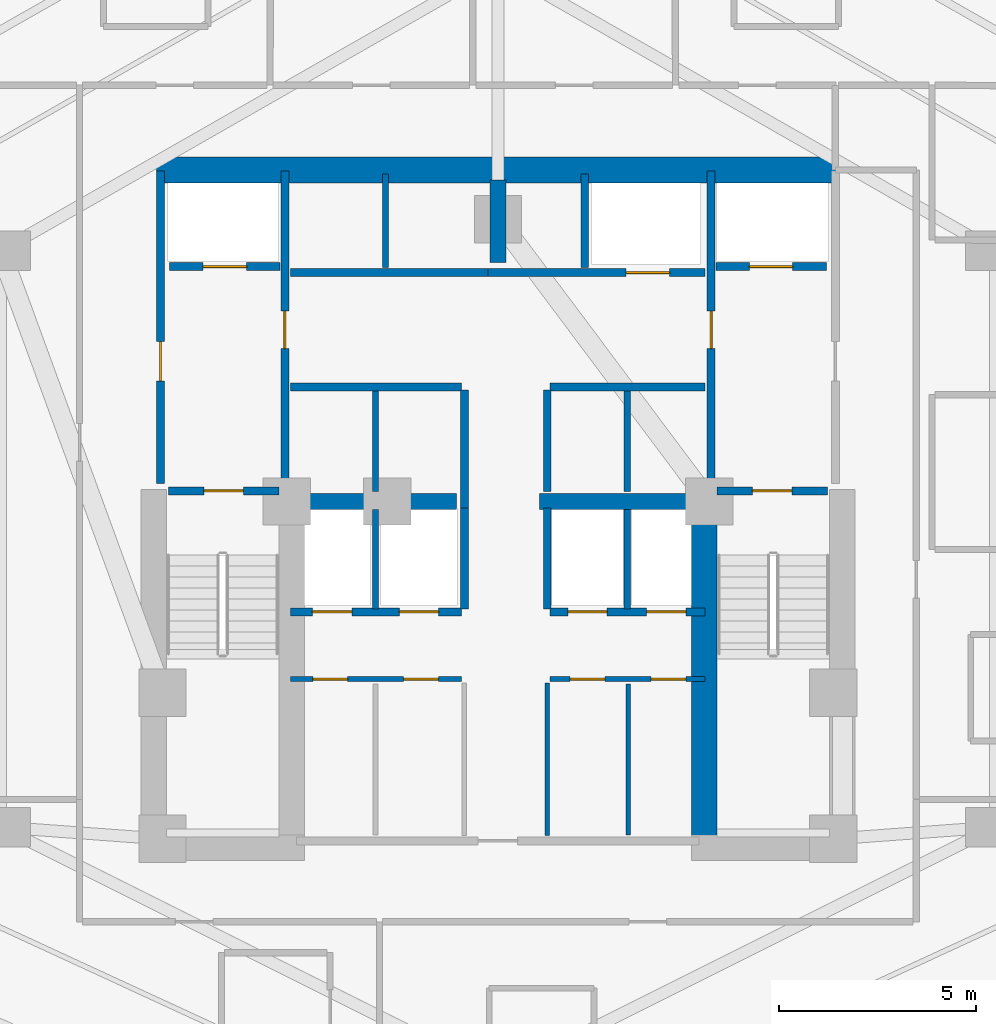
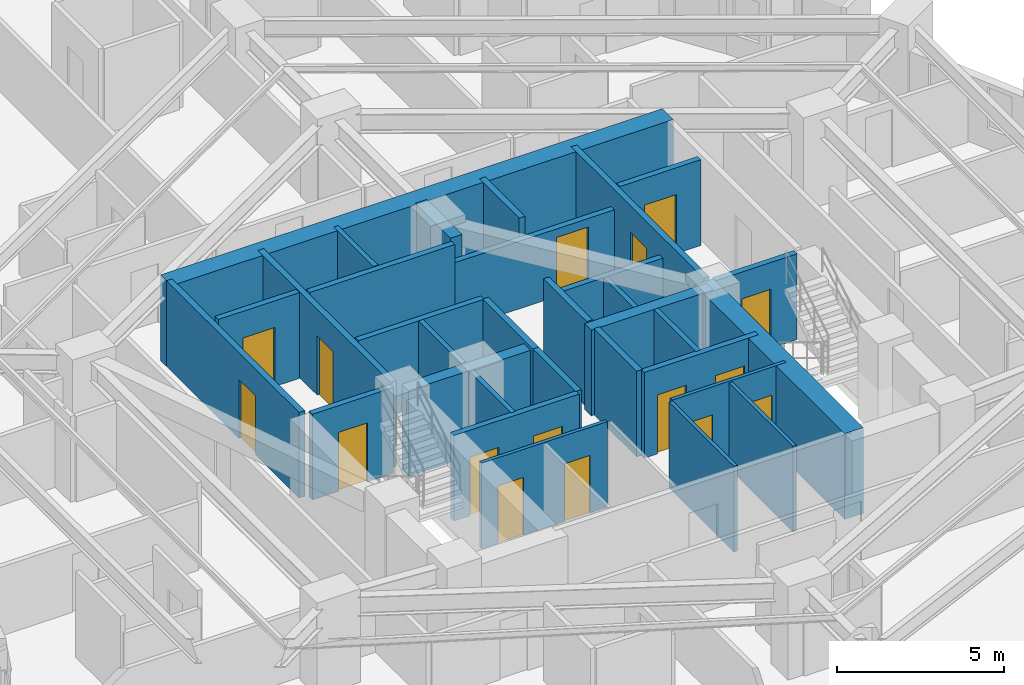
# One storey, part 8 of 13: 32 walls, 16 doors, 16 openings.
"""IFC4 building model written with IfcOpenShell, lengths in metres."""

from ifc_helpers import new_model, si_unit, direction, frame, frame_2d, origin, place, context, subcontext, project, spatial, rectangle, extrude, material, layer, layer_set, type_object, element, fill, save


model = new_model("IFC4")

# Units and contexts
model_context = context("Model", 3, precision=1e-05, world=origin(), true_north=direction((0.0, 1.0)))
body_context = subcontext(model_context, "Body", "Model", "MODEL_VIEW")
ifc_project = project(units=[si_unit("LENGTHUNIT", "METRE"), si_unit("AREAUNIT", "SQUARE_METRE"), si_unit("VOLUMEUNIT", "CUBIC_METRE"), si_unit("PLANEANGLEUNIT", "RADIAN"), si_unit("MASSUNIT", "GRAM", prefix="KILO")], contexts=[model_context])

# Site, building, storey
site_placement = place(None, origin())
site = spatial("IfcSite", under=ifc_project, at=site_placement, CompositionType="ELEMENT")
building_placement = place(site_placement, origin())
building = spatial("IfcBuilding", under=site, at=building_placement, Name="Miruveldt Soraemaru", CompositionType="ELEMENT")
storey_placement = place(building_placement, frame((0.0, 0.0, 49.60009765625)))
storey = spatial("IfcBuildingStorey", under=building, at=storey_placement, Name="L13", CompositionType="ELEMENT", Elevation=49.60009765625)

# Walls
ifc_material_1 = material(Name="Concrete C70/85 (70 MPa)", Category="concrete")
ifc_layer_1 = layer(ifc_material_1, 0.5, Name="Concrete C70/85 (70 MPa)", Category="concrete")
ifc_layer_set_1 = layer_set([ifc_layer_1], Name="Concrete C70/85 (70 MPa)")
wall_type_1 = type_object("IfcWallType", Name="WALL-BW-500", PredefinedType="SHEAR", material=ifc_layer_set_1)
wall_1_placement = place(storey_placement, frame((44.0, 50.10009765625, 0.0), z_axis=(0.0, 0.0, 1.0), x_axis=(0.0, 1.0, 0.0)))
element("IfcWall", 1, at=wall_1_placement, inside=storey, type_object=wall_type_1, Name="L13 Core Buttress Shear Wall BN", PredefinedType="SHEAR", context=body_context, shape_type="SweptSolid", body=[
    extrude(rectangle(XDim=2.099853515625, YDim=0.39990234375, at=frame_2d((1.0498046875, 0.0))), origin(), (0.0, 0.0, 1.0), 3.125),
])
for number, where, z_axis, x_axis, name in (
    (2, (38.75, 44.050048828125, 0.0), (0.0, 0.0, 1.0), (1.0, 0.0, 0.0), "L13 Core Buttress Shear Wall BW"),
    (3, (45.050048828125, 44.050048828125, 0.0), (0.0, 0.0, 1.0), (1.0, 0.0, 0.0), "L13 Core Buttress Shear Wall BE"),
):
    element("IfcWall", number, at=place(storey_placement, frame(where, z_axis=z_axis, x_axis=x_axis)), inside=storey, type_object=wall_type_1, Name=name, PredefinedType="SHEAR", context=body_context, shape_type="SweptSolid", body=[
        extrude(rectangle(XDim=4.199951171875, YDim=0.39990234375, at=frame_2d((2.10009765625, 0.0))), origin(), (0.0, 0.0, 1.0), 3.125),
    ])
ifc_material_2 = material(Name="Concrete C80/95 (80 MPa)", Category="concrete")
ifc_layer_2 = layer(ifc_material_2, 0.64990234375, Name="Concrete C80/95 (80 MPa)", Category="concrete")
ifc_layer_set_2 = layer_set([ifc_layer_2], Name="Concrete C80/95 (80 MPa)")
wall_type_2 = type_object("IfcWallType", Name="WALL-CW-650", PredefinedType="SHEAR", material=ifc_layer_set_2)
wall_2_placement = place(storey_placement, frame((35.35009765625, 52.449951171875, 0.0), z_axis=(0.0, 0.0, 1.0), x_axis=(1.0, 0.0, 0.0)))
element("IfcWall", 4, at=wall_2_placement, inside=storey, type_object=wall_type_2, Name="L13 Central Core Shear Wall N", PredefinedType="SHEAR", context=body_context, shape_type="SweptSolid", body=[
    extrude(rectangle(XDim=17.2998046875, YDim=0.64990234375, at=frame_2d((8.64990234375, 0.0))), origin(), (0.0, 0.0, 1.0), 3.125),
])
wall_3_placement = place(storey_placement, frame((49.22509765625, 35.39990234375, 0.0), z_axis=(0.0, 0.0, 1.0), x_axis=(0.0, 1.0, 0.0)))
element("IfcWall", 5, at=wall_3_placement, inside=storey, type_object=wall_type_2, Name="L13 Central Core Shear Wall SE-INT", PredefinedType="SHEAR", context=body_context, shape_type="SweptSolid", body=[
    extrude(rectangle(XDim=8.9501953125, YDim=0.64990234375, at=frame_2d((4.47509765625, 0.0))), origin(), (0.0, 0.0, 1.0), 3.125),
])

# Wall, openings, doors
ifc_material_3 = material(Name="Gypsum plasterboard lining", Category="gypsum")
ifc_layer_3 = layer(ifc_material_3, 0.1201171875, Name="Gypsum plasterboard lining", Category="gypsum")
ifc_layer_set_3 = layer_set([ifc_layer_3], Name="Gypsum plasterboard lining")
wall_type_3 = type_object("IfcWallType", Name="WALL-INT-P120", PredefinedType="PARTITIONING", material=ifc_layer_set_3)
wall_4_placement = place(storey_placement, frame((38.75, 39.550048828125, 0.0), z_axis=(0.0, 0.0, 1.0), x_axis=(1.0, 0.0, 0.0)))
wall_4 = element("IfcWall", 6, at=wall_4_placement, inside=storey, type_object=wall_type_3, Name="L13 Core Compartment Wall CSW-N", PredefinedType="PARTITIONING", context=body_context, shape_type="SweptSolid", body=[
    extrude(rectangle(XDim=4.330078125, YDim=0.1201171875, at=frame_2d((2.1650390625, 0.0))), origin(), (0.0, 0.0, 1.0), 3.125),
])
opening_1_placement = place(wall_4_placement, frame((0.56005859375, 0.0, 0.0)))
opening_1 = element("IfcOpeningElement", 7, at=opening_1_placement, cuts=wall_4, Name="Opening D4", PredefinedType="OPENING", context=body_context, shape_type="SweptSolid", body=[
    extrude(rectangle(XDim=0.8798828125, YDim=2.10009765625, at=frame_2d((0.43994140625, 1.050048828125))), frame((0.0, 0.070068359375, 0.0), z_axis=(0.0, -1.0, 0.0), x_axis=(1.0, 0.0, 0.0)), (0.0, 0.0, 1.0), 0.14013671875),
])
opening_2_placement = place(wall_4_placement, frame((2.860107421875, 0.0, 0.0)))
opening_2 = element("IfcOpeningElement", 8, at=opening_2_placement, cuts=wall_4, Name="Opening D4", PredefinedType="OPENING", context=body_context, shape_type="SweptSolid", body=[
    extrude(rectangle(XDim=0.8798828125, YDim=2.10009765625, at=frame_2d((0.43994140625, 1.050048828125))), frame((0.0, 0.070068359375, 0.0), z_axis=(0.0, -1.0, 0.0), x_axis=(1.0, 0.0, 0.0)), (0.0, 0.0, 1.0), 0.14013671875),
])
ifc_material_4 = material(Name="Anodised aluminium EN AW-6063 T6", Category="aluminium")
door_type_1 = type_object("IfcDoorType", Name="DOOR-INT-880", OperationType="NOTDEFINED", PredefinedType="DOOR", material=ifc_material_4)
door_1_placement = place(opening_1_placement, origin())
door_1 = element("IfcDoor", 9, at=door_1_placement, inside=storey, type_object=door_type_1, Name="L13 Fire Door", OperationType="SINGLE_SWING_LEFT", OverallHeight=2.10009765625, OverallWidth=0.8798828125, PredefinedType="DOOR", context=body_context, shape_type="SweptSolid", body=[
    extrude(rectangle(XDim=0.8798828125, YDim=2.10009765625, at=frame_2d((0.43994140625, 1.050048828125))), frame((0.0, 0.02490234375, 0.0), z_axis=(0.0, -1.0, 0.0), x_axis=(1.0, 0.0, 0.0)), (0.0, 0.0, 1.0), 0.050048828125),
])
fill(opening_1, door_1)
door_2_placement = place(opening_2_placement, origin())
door_2 = element("IfcDoor", 10, at=door_2_placement, inside=storey, type_object=door_type_1, Name="L13 Fire Door", OperationType="SINGLE_SWING_LEFT", OverallHeight=2.10009765625, OverallWidth=0.8798828125, PredefinedType="DOOR", context=body_context, shape_type="SweptSolid", body=[
    extrude(rectangle(XDim=0.8798828125, YDim=2.10009765625, at=frame_2d((0.43994140625, 1.050048828125))), frame((0.0, 0.02490234375, 0.0), z_axis=(0.0, -1.0, 0.0), x_axis=(1.0, 0.0, 0.0)), (0.0, 0.0, 1.0), 0.050048828125),
])
fill(opening_2, door_2)

wall_5_placement = place(storey_placement, frame((45.320068359375, 39.550048828125, 0.0), z_axis=(0.0, 0.0, 1.0), x_axis=(1.0, 0.0, 0.0)))
wall_5 = element("IfcWall", 11, at=wall_5_placement, inside=storey, type_object=wall_type_3, Name="L13 Core Compartment Wall CSE-N", PredefinedType="PARTITIONING", context=body_context, shape_type="SweptSolid", body=[
    extrude(rectangle(XDim=3.929931640625, YDim=0.1201171875, at=frame_2d((1.96484375, 0.0))), origin(), (0.0, 0.0, 1.0), 3.125),
])
opening_3_placement = place(wall_5_placement, frame((0.510009765625, 0.0, 0.0)))
opening_3 = element("IfcOpeningElement", 12, at=opening_3_placement, cuts=wall_5, Name="Opening D4", PredefinedType="OPENING", context=body_context, shape_type="SweptSolid", body=[
    extrude(rectangle(XDim=0.8798828125, YDim=2.10009765625, at=frame_2d((0.43994140625, 1.050048828125))), frame((0.0, 0.070068359375, 0.0), z_axis=(0.0, -1.0, 0.0), x_axis=(1.0, 0.0, 0.0)), (0.0, 0.0, 1.0), 0.14013671875),
])
opening_4_placement = place(wall_5_placement, frame((2.56005859375, 0.0, 0.0)))
opening_4 = element("IfcOpeningElement", 13, at=opening_4_placement, cuts=wall_5, Name="Opening D4", PredefinedType="OPENING", context=body_context, shape_type="SweptSolid", body=[
    extrude(rectangle(XDim=0.8798828125, YDim=2.10009765625, at=frame_2d((0.43994140625, 1.050048828125))), frame((0.0, 0.070068359375, 0.0), z_axis=(0.0, -1.0, 0.0), x_axis=(1.0, 0.0, 0.0)), (0.0, 0.0, 1.0), 0.14013671875),
])
door_3_placement = place(opening_3_placement, origin())
door_3 = element("IfcDoor", 14, at=door_3_placement, inside=storey, type_object=door_type_1, Name="L13 Fire Door", OperationType="SINGLE_SWING_LEFT", OverallHeight=2.10009765625, OverallWidth=0.8798828125, PredefinedType="DOOR", context=body_context, shape_type="SweptSolid", body=[
    extrude(rectangle(XDim=0.8798828125, YDim=2.10009765625, at=frame_2d((0.43994140625, 1.050048828125))), frame((0.0, 0.02490234375, 0.0), z_axis=(0.0, -1.0, 0.0), x_axis=(1.0, 0.0, 0.0)), (0.0, 0.0, 1.0), 0.050048828125),
])
fill(opening_3, door_3)
door_4_placement = place(opening_4_placement, origin())
door_4 = element("IfcDoor", 15, at=door_4_placement, inside=storey, type_object=door_type_1, Name="L13 Fire Door", OperationType="SINGLE_SWING_LEFT", OverallHeight=2.10009765625, OverallWidth=0.8798828125, PredefinedType="DOOR", context=body_context, shape_type="SweptSolid", body=[
    extrude(rectangle(XDim=0.8798828125, YDim=2.10009765625, at=frame_2d((0.43994140625, 1.050048828125))), frame((0.0, 0.02490234375, 0.0), z_axis=(0.0, -1.0, 0.0), x_axis=(1.0, 0.0, 0.0)), (0.0, 0.0, 1.0), 0.050048828125),
])
fill(opening_4, door_4)

# Walls
wall_6_placement = place(storey_placement, frame((45.25, 35.580078125, 0.0), z_axis=(0.0, 0.0, 1.0), x_axis=(0.0, 1.0, 0.0)))
element("IfcWall", 16, at=wall_6_placement, inside=storey, type_object=wall_type_3, Name="L13 Core Compartment Wall SP-ES", PredefinedType="PARTITIONING", context=body_context, shape_type="SweptSolid", body=[
    extrude(rectangle(XDim=3.869873046875, YDim=0.1201171875, at=frame_2d((1.93505859375, 0.0))), origin(), (0.0, 0.0, 1.0), 3.125),
])
wall_7_placement = place(storey_placement, frame((47.300048828125, 35.60009765625, 0.0), z_axis=(0.0, 0.0, 1.0), x_axis=(0.0, 1.0, 0.0)))
element("IfcWall", 17, at=wall_7_placement, inside=storey, type_object=wall_type_3, Name="L13 Core Compartment Wall CE2-V", PredefinedType="PARTITIONING", context=body_context, shape_type="SweptSolid", body=[
    extrude(rectangle(XDim=3.81982421875, YDim=0.1201171875, at=frame_2d((1.909912109375, 0.0))), origin(), (0.0, 0.0, 1.0), 3.125),
])
ifc_material_5 = material(Name="Concrete C40/50 (40 MPa)", Category="concrete")
ifc_layer_4 = layer(ifc_material_5, 0.159912109375, Name="Concrete C40/50 (40 MPa)", Category="concrete")
ifc_layer_set_4 = layer_set([ifc_layer_4], Name="Concrete C40/50 (40 MPa)")
wall_type_4 = type_object("IfcWallType", Name="WALL-INT-RC160", PredefinedType="SOLIDWALL", material=ifc_layer_set_4)
wall_8_placement = place(storey_placement, frame((40.89990234375, 44.300048828125, 0.0), z_axis=(0.0, 0.0, 1.0), x_axis=(0.0, 1.0, 0.0)))
element("IfcWall", 18, at=wall_8_placement, inside=storey, type_object=wall_type_4, Name="L13 Core Compartment Wall PLM-DW", PredefinedType="SOLIDWALL", context=body_context, shape_type="SweptSolid", body=[
    extrude(rectangle(XDim=2.550048828125, YDim=0.159912109375, at=frame_2d((1.27490234375, 0.0))), origin(), (0.0, 0.0, 1.0), 3.125),
])
wall_9_placement = place(storey_placement, frame((47.280029296875, 44.300048828125, 0.0), z_axis=(0.0, 0.0, 1.0), x_axis=(0.0, 1.0, 0.0)))
element("IfcWall", 19, at=wall_9_placement, inside=storey, type_object=wall_type_4, Name="L13 Core Compartment Wall PLM-DE", PredefinedType="SOLIDWALL", context=body_context, shape_type="SweptSolid", body=[
    extrude(rectangle(XDim=2.550048828125, YDim=0.159912109375, at=frame_2d((1.27490234375, 0.0))), origin(), (0.0, 0.0, 1.0), 2.462890625),
])
for number, where, z_axis, x_axis, name in (
    (20, (40.89990234375, 41.320068359375, 0.0), (0.0, 0.0, 1.0), (0.0, 1.0, 0.0), "L13 Core Compartment Wall PLL-DW"),
    (21, (47.280029296875, 41.320068359375, 0.0), (0.0, 0.0, 1.0), (0.0, 1.0, 0.0), "L13 Core Compartment Wall PLL-DE"),
):
    element("IfcWall", number, at=place(storey_placement, frame(where, z_axis=z_axis, x_axis=x_axis)), inside=storey, type_object=wall_type_4, Name=name, PredefinedType="SOLIDWALL", context=body_context, shape_type="SweptSolid", body=[
        extrude(rectangle(XDim=2.530029296875, YDim=0.159912109375, at=frame_2d((1.26513671875, 0.0))), origin(), (0.0, 0.0, 1.0), 3.125),
    ])
wall_10_placement = place(storey_placement, frame((41.14990234375, 49.97998046875, 0.0), z_axis=(0.0, 0.0, 1.0), x_axis=(0.0, 1.0, 0.0)))
element("IfcWall", 22, at=wall_10_placement, inside=storey, type_object=wall_type_4, Name="L13 Core Compartment Wall PLH-DIV1", PredefinedType="SOLIDWALL", context=body_context, shape_type="SweptSolid", body=[
    extrude(rectangle(XDim=2.3701171875, YDim=0.159912109375, at=frame_2d((1.18505859375, 0.0))), origin(), (0.0, 0.0, 1.0), 3.125),
])

# Wall, opening, door
ifc_layer_5 = layer(ifc_material_5, 0.199951171875, Name="Concrete C40/50 (40 MPa)", Category="concrete")
ifc_layer_set_5 = layer_set([ifc_layer_5], Name="Concrete C40/50 (40 MPa)")
wall_type_5 = type_object("IfcWallType", Name="WALL-INT-RC200", PredefinedType="SOLIDWALL", material=ifc_layer_set_5)
wall_11_placement = place(storey_placement, frame((35.449951171875, 44.5, 0.0), z_axis=(0.0, 0.0, 1.0), x_axis=(0.0, 1.0, 0.0)))
wall_11 = element("IfcWall", 23, at=wall_11_placement, inside=storey, type_object=wall_type_5, Name="L13 Core Compartment Wall FFW-OUT", PredefinedType="SOLIDWALL", context=body_context, shape_type="SweptSolid", body=[
    extrude(rectangle(XDim=7.919921875, YDim=0.199951171875, at=frame_2d((3.9599609375, 0.0))), origin(), (0.0, 0.0, 1.0), 3.125),
])
opening_5_placement = place(wall_11_placement, frame((2.60009765625, 0.0, 0.0)))
opening_5 = element("IfcOpeningElement", 24, at=opening_5_placement, cuts=wall_11, Name="Opening FD1", PredefinedType="OPENING", context=body_context, shape_type="SweptSolid", body=[
    extrude(rectangle(XDim=1.0, YDim=2.14990234375, at=frame_2d((0.5, 1.074951171875))), frame((0.0, 0.10986328125, 0.0), z_axis=(0.0, -1.0, 0.0), x_axis=(1.0, 0.0, 0.0)), (0.0, 0.0, 1.0), 0.219970703125),
])
door_type_2 = type_object("IfcDoorType", Name="DOOR-FD1-1000", OperationType="NOTDEFINED", PredefinedType="DOOR", material=ifc_material_4)
door_5_placement = place(opening_5_placement, origin())
door_5 = element("IfcDoor", 25, at=door_5_placement, inside=storey, type_object=door_type_2, Name="L13 West Firefighting Lobby Exit Door", OperationType="SINGLE_SWING_LEFT", OverallHeight=2.14990234375, OverallWidth=1.0, PredefinedType="DOOR", context=body_context, shape_type="SweptSolid", body=[
    extrude(rectangle(XDim=1.0, YDim=2.14990234375, at=frame_2d((0.5, 1.074951171875))), frame((0.0, 0.02490234375, 0.0), z_axis=(0.0, -1.0, 0.0), x_axis=(1.0, 0.0, 0.0)), (0.0, 0.0, 1.0), 0.050048828125),
])
fill(opening_5, door_5)

wall_12_placement = place(storey_placement, frame((38.60009765625, 44.5, 0.0), z_axis=(0.0, 0.0, 1.0), x_axis=(0.0, 1.0, 0.0)))
wall_12 = element("IfcWall", 26, at=wall_12_placement, inside=storey, type_object=wall_type_5, Name="L13 Core Compartment Wall FFW-IN", PredefinedType="SOLIDWALL", context=body_context, shape_type="SweptSolid", body=[
    extrude(rectangle(XDim=7.919921875, YDim=0.199951171875, at=frame_2d((3.9599609375, 0.0))), origin(), (0.0, 0.0, 1.0), 3.125),
])
opening_6_placement = place(wall_12_placement, frame((3.425048828125, 0.0, 0.0)))
opening_6 = element("IfcOpeningElement", 27, at=opening_6_placement, cuts=wall_12, Name="Opening FD2", PredefinedType="OPENING", context=body_context, shape_type="SweptSolid", body=[
    extrude(rectangle(XDim=0.949951171875, YDim=2.14990234375, at=frame_2d((0.47509765625, 1.074951171875))), frame((0.0, 0.10986328125, 0.0), z_axis=(0.0, -1.0, 0.0), x_axis=(1.0, 0.0, 0.0)), (0.0, 0.0, 1.0), 0.219970703125),
])
door_type_3 = type_object("IfcDoorType", Name="DOOR-FD2-950", OperationType="NOTDEFINED", PredefinedType="DOOR", material=ifc_material_4)
door_6_placement = place(opening_6_placement, frame((0.949951171875, 0.0, 0.0), z_axis=(0.0, 0.0, 1.0), x_axis=(-1.0, 0.0, 0.0)))
door_6 = element("IfcDoor", 28, at=door_6_placement, inside=storey, type_object=door_type_3, Name="L13 Lift Lobby to West Fire Lobby Door", OperationType="SINGLE_SWING_RIGHT", OverallHeight=2.14990234375, OverallWidth=0.949951171875, PredefinedType="DOOR", context=body_context, shape_type="SweptSolid", body=[
    extrude(rectangle(XDim=0.949951171875, YDim=2.14990234375, at=frame_2d((0.47509765625, 1.074951171875))), frame((0.0, 0.02490234375, 0.0), z_axis=(0.0, -1.0, 0.0), x_axis=(1.0, 0.0, 0.0)), (0.0, 0.0, 1.0), 0.050048828125),
])
fill(opening_6, door_6)

wall_13_placement = place(storey_placement, frame((49.39990234375, 44.5, 0.0), z_axis=(0.0, 0.0, 1.0), x_axis=(0.0, 1.0, 0.0)))
wall_13 = element("IfcWall", 29, at=wall_13_placement, inside=storey, type_object=wall_type_5, Name="L13 Core Compartment Wall FFE-IN", PredefinedType="SOLIDWALL", context=body_context, shape_type="SweptSolid", body=[
    extrude(rectangle(XDim=7.919921875, YDim=0.199951171875, at=frame_2d((3.9599609375, 0.0))), origin(), (0.0, 0.0, 1.0), 3.125),
])
opening_7_placement = place(wall_13_placement, frame((3.425048828125, 0.0, 0.0)))
opening_7 = element("IfcOpeningElement", 30, at=opening_7_placement, cuts=wall_13, Name="Opening FD2", PredefinedType="OPENING", context=body_context, shape_type="SweptSolid", body=[
    extrude(rectangle(XDim=0.949951171875, YDim=2.14990234375, at=frame_2d((0.47509765625, 1.074951171875))), frame((0.0, 0.10986328125, 0.0), z_axis=(0.0, -1.0, 0.0), x_axis=(1.0, 0.0, 0.0)), (0.0, 0.0, 1.0), 0.219970703125),
])
door_7_placement = place(opening_7_placement, origin())
door_7 = element("IfcDoor", 31, at=door_7_placement, inside=storey, type_object=door_type_3, Name="L13 Lift Lobby to East Fire Lobby Door", OperationType="SINGLE_SWING_LEFT", OverallHeight=2.14990234375, OverallWidth=0.949951171875, PredefinedType="DOOR", context=body_context, shape_type="SweptSolid", body=[
    extrude(rectangle(XDim=0.949951171875, YDim=2.14990234375, at=frame_2d((0.47509765625, 1.074951171875))), frame((0.0, 0.02490234375, 0.0), z_axis=(0.0, -1.0, 0.0), x_axis=(1.0, 0.0, 0.0)), (0.0, 0.0, 1.0), 0.050048828125),
])
fill(opening_7, door_7)

wall_14_placement = place(storey_placement, frame((43.75, 49.85009765625, 0.0), z_axis=(0.0, 0.0, 1.0), x_axis=(1.0, 0.0, 0.0)))
wall_14 = element("IfcWall", 32, at=wall_14_placement, inside=storey, type_object=wall_type_5, Name="L13 Core Compartment Wall ROWA-SE", PredefinedType="SOLIDWALL", context=body_context, shape_type="SweptSolid", body=[
    extrude(rectangle(XDim=5.5, YDim=0.199951171875, at=frame_2d((2.75, 0.0))), origin(), (0.0, 0.0, 1.0), 2.462890625),
])
opening_8_placement = place(wall_14_placement, frame((3.5, 0.0, 0.0)))
opening_8 = element("IfcOpeningElement", 33, at=opening_8_placement, cuts=wall_14, Name="Opening LD2", PredefinedType="OPENING", context=body_context, shape_type="SweptSolid", body=[
    extrude(rectangle(XDim=1.10009765625, YDim=2.14990234375, at=frame_2d((0.550048828125, 1.074951171875))), frame((0.0, 0.10986328125, 0.0), z_axis=(0.0, -1.0, 0.0), x_axis=(1.0, 0.0, 0.0)), (0.0, 0.0, 1.0), 0.219970703125),
])
door_type_4 = type_object("IfcDoorType", Name="DOOR-LD2-1100", OperationType="SLIDING_TO_LEFT", PredefinedType="DOOR", material=ifc_material_4)
door_8_placement = place(opening_8_placement, origin())
door_8 = element("IfcDoor", 34, at=door_8_placement, inside=storey, type_object=door_type_4, Name="L13 SL-1 Landing Door", OperationType="SLIDING_TO_LEFT", OverallHeight=2.14990234375, OverallWidth=1.10009765625, PredefinedType="DOOR", context=body_context, shape_type="SweptSolid", body=[
    extrude(rectangle(XDim=1.10009765625, YDim=2.14990234375, at=frame_2d((0.550048828125, 1.074951171875))), frame((0.0, 0.02490234375, 0.0), z_axis=(0.0, -1.0, 0.0), x_axis=(1.0, 0.0, 0.0)), (0.0, 0.0, 1.0), 0.050048828125),
])
fill(opening_8, door_8)

# Wall, openings, doors
wall_15_placement = place(storey_placement, frame((38.75, 41.25, 0.0), z_axis=(0.0, 0.0, 1.0), x_axis=(1.0, 0.0, 0.0)))
wall_15 = element("IfcWall", 35, at=wall_15_placement, inside=storey, type_object=wall_type_5, Name="L13 Core Compartment Wall LBW-S", PredefinedType="SOLIDWALL", context=body_context, shape_type="SweptSolid", body=[
    extrude(rectangle(XDim=4.330078125, YDim=0.199951171875, at=frame_2d((2.1650390625, 0.0))), origin(), (0.0, 0.0, 1.0), 3.125),
])
opening_9_placement = place(wall_15_placement, frame((0.550048828125, 0.0, 0.0)))
opening_9 = element("IfcOpeningElement", 36, at=opening_9_placement, cuts=wall_15, Name="Opening LD1B", PredefinedType="OPENING", context=body_context, shape_type="SweptSolid", body=[
    extrude(rectangle(XDim=1.0, YDim=2.14990234375, at=frame_2d((0.5, 1.074951171875))), frame((0.0, 0.10986328125, 0.0), z_axis=(0.0, -1.0, 0.0), x_axis=(1.0, 0.0, 0.0)), (0.0, 0.0, 1.0), 0.219970703125),
])
opening_10_placement = place(wall_15_placement, frame((2.75, 0.0, 0.0)))
opening_10 = element("IfcOpeningElement", 37, at=opening_10_placement, cuts=wall_15, Name="Opening LD1B", PredefinedType="OPENING", context=body_context, shape_type="SweptSolid", body=[
    extrude(rectangle(XDim=1.0, YDim=2.14990234375, at=frame_2d((0.5, 1.074951171875))), frame((0.0, 0.10986328125, 0.0), z_axis=(0.0, -1.0, 0.0), x_axis=(1.0, 0.0, 0.0)), (0.0, 0.0, 1.0), 0.219970703125),
])
door_type_5 = type_object("IfcDoorType", Name="DOOR-LD1-1000", OperationType="SLIDING_TO_LEFT", PredefinedType="DOOR", material=ifc_material_4)
door_9_placement = place(opening_9_placement, frame((1.0, 0.0, 0.0), z_axis=(0.0, 0.0, 1.0), x_axis=(-1.0, 0.0, 0.0)))
door_9 = element("IfcDoor", 38, at=door_9_placement, inside=storey, type_object=door_type_5, Name="L13 PL-L1 Landing Door", OperationType="SLIDING_TO_LEFT", OverallHeight=2.14990234375, OverallWidth=1.0, PredefinedType="DOOR", context=body_context, shape_type="SweptSolid", body=[
    extrude(rectangle(XDim=1.0, YDim=2.14990234375, at=frame_2d((0.5, 1.074951171875))), frame((0.0, 0.02490234375, 0.0), z_axis=(0.0, -1.0, 0.0), x_axis=(1.0, 0.0, 0.0)), (0.0, 0.0, 1.0), 0.050048828125),
])
fill(opening_9, door_9)
door_10_placement = place(opening_10_placement, frame((1.0, 0.0, 0.0), z_axis=(0.0, 0.0, 1.0), x_axis=(-1.0, 0.0, 0.0)))
door_10 = element("IfcDoor", 39, at=door_10_placement, inside=storey, type_object=door_type_5, Name="L13 PL-L2 Landing Door", OperationType="SLIDING_TO_LEFT", OverallHeight=2.14990234375, OverallWidth=1.0, PredefinedType="DOOR", context=body_context, shape_type="SweptSolid", body=[
    extrude(rectangle(XDim=1.0, YDim=2.14990234375, at=frame_2d((0.5, 1.074951171875))), frame((0.0, 0.02490234375, 0.0), z_axis=(0.0, -1.0, 0.0), x_axis=(1.0, 0.0, 0.0)), (0.0, 0.0, 1.0), 0.050048828125),
])
fill(opening_10, door_10)

wall_16_placement = place(storey_placement, frame((45.320068359375, 41.25, 0.0), z_axis=(0.0, 0.0, 1.0), x_axis=(1.0, 0.0, 0.0)))
wall_16 = element("IfcWall", 40, at=wall_16_placement, inside=storey, type_object=wall_type_5, Name="L13 Core Compartment Wall LBE-S", PredefinedType="SOLIDWALL", context=body_context, shape_type="SweptSolid", body=[
    extrude(rectangle(XDim=3.929931640625, YDim=0.199951171875, at=frame_2d((1.96484375, 0.0))), origin(), (0.0, 0.0, 1.0), 3.125),
])
opening_11_placement = place(wall_16_placement, frame((0.449951171875, 0.0, 0.0)))
opening_11 = element("IfcOpeningElement", 41, at=opening_11_placement, cuts=wall_16, Name="Opening LD1B", PredefinedType="OPENING", context=body_context, shape_type="SweptSolid", body=[
    extrude(rectangle(XDim=1.0, YDim=2.14990234375, at=frame_2d((0.5, 1.074951171875))), frame((0.0, 0.10986328125, 0.0), z_axis=(0.0, -1.0, 0.0), x_axis=(1.0, 0.0, 0.0)), (0.0, 0.0, 1.0), 0.219970703125),
])
opening_12_placement = place(wall_16_placement, frame((2.449951171875, 0.0, 0.0)))
opening_12 = element("IfcOpeningElement", 42, at=opening_12_placement, cuts=wall_16, Name="Opening LD1B", PredefinedType="OPENING", context=body_context, shape_type="SweptSolid", body=[
    extrude(rectangle(XDim=1.0, YDim=2.14990234375, at=frame_2d((0.5, 1.074951171875))), frame((0.0, 0.10986328125, 0.0), z_axis=(0.0, -1.0, 0.0), x_axis=(1.0, 0.0, 0.0)), (0.0, 0.0, 1.0), 0.219970703125),
])
door_11_placement = place(opening_11_placement, frame((1.0, 0.0, 0.0), z_axis=(0.0, 0.0, 1.0), x_axis=(-1.0, 0.0, 0.0)))
door_11 = element("IfcDoor", 43, at=door_11_placement, inside=storey, type_object=door_type_5, Name="L13 PL-L3 Landing Door", OperationType="SLIDING_TO_LEFT", OverallHeight=2.14990234375, OverallWidth=1.0, PredefinedType="DOOR", context=body_context, shape_type="SweptSolid", body=[
    extrude(rectangle(XDim=1.0, YDim=2.14990234375, at=frame_2d((0.5, 1.074951171875))), frame((0.0, 0.02490234375, 0.0), z_axis=(0.0, -1.0, 0.0), x_axis=(1.0, 0.0, 0.0)), (0.0, 0.0, 1.0), 0.050048828125),
])
fill(opening_11, door_11)
door_12_placement = place(opening_12_placement, frame((1.0, 0.0, 0.0), z_axis=(0.0, 0.0, 1.0), x_axis=(-1.0, 0.0, 0.0)))
door_12 = element("IfcDoor", 44, at=door_12_placement, inside=storey, type_object=door_type_5, Name="L13 PL-L4 Landing Door", OperationType="SLIDING_TO_LEFT", OverallHeight=2.14990234375, OverallWidth=1.0, PredefinedType="DOOR", context=body_context, shape_type="SweptSolid", body=[
    extrude(rectangle(XDim=1.0, YDim=2.14990234375, at=frame_2d((0.5, 1.074951171875))), frame((0.0, 0.02490234375, 0.0), z_axis=(0.0, -1.0, 0.0), x_axis=(1.0, 0.0, 0.0)), (0.0, 0.0, 1.0), 0.050048828125),
])
fill(opening_12, door_12)

# Wall, opening, door
wall_17_placement = place(storey_placement, frame((35.64990234375, 44.320068359375, 0.0), z_axis=(0.0, 0.0, 1.0), x_axis=(1.0, 0.0, 0.0)))
wall_17 = element("IfcWall", 45, at=wall_17_placement, inside=storey, type_object=wall_type_5, Name="L13 Core Compartment Wall ST1-N", PredefinedType="SOLIDWALL", context=body_context, shape_type="SweptSolid", body=[
    extrude(rectangle(XDim=2.800048828125, YDim=0.199951171875, at=frame_2d((1.39990234375, 0.0))), origin(), (0.0, 0.0, 1.0), 3.125),
])
opening_13_placement = place(wall_17_placement, frame((0.89990234375, 0.0, 0.0)))
opening_13 = element("IfcOpeningElement", 46, at=opening_13_placement, cuts=wall_17, Name="Opening FD1", PredefinedType="OPENING", context=body_context, shape_type="SweptSolid", body=[
    extrude(rectangle(XDim=1.0, YDim=2.14990234375, at=frame_2d((0.5, 1.074951171875))), frame((0.0, 0.10986328125, 0.0), z_axis=(0.0, -1.0, 0.0), x_axis=(1.0, 0.0, 0.0)), (0.0, 0.0, 1.0), 0.219970703125),
])
door_13_placement = place(opening_13_placement, frame((1.0, 0.0, 0.0), z_axis=(0.0, 0.0, 1.0), x_axis=(-1.0, 0.0, 0.0)))
door_13 = element("IfcDoor", 47, at=door_13_placement, inside=storey, type_object=door_type_2, Name="L13 Stair ST-1 Fire Door", OperationType="SINGLE_SWING_LEFT", OverallHeight=2.14990234375, OverallWidth=1.0, PredefinedType="DOOR", context=body_context, shape_type="SweptSolid", body=[
    extrude(rectangle(XDim=1.0, YDim=2.14990234375, at=frame_2d((0.5, 1.074951171875))), frame((0.0, 0.02490234375, 0.0), z_axis=(0.0, -1.0, 0.0), x_axis=(1.0, 0.0, 0.0)), (0.0, 0.0, 1.0), 0.050048828125),
])
fill(opening_13, door_13)

wall_18_placement = place(storey_placement, frame((49.550048828125, 44.320068359375, 0.0), z_axis=(0.0, 0.0, 1.0), x_axis=(1.0, 0.0, 0.0)))
wall_18 = element("IfcWall", 48, at=wall_18_placement, inside=storey, type_object=wall_type_5, Name="L13 Core Compartment Wall ST2-N", PredefinedType="SOLIDWALL", context=body_context, shape_type="SweptSolid", body=[
    extrude(rectangle(XDim=2.800048828125, YDim=0.199951171875, at=frame_2d((1.39990234375, 0.0))), origin(), (0.0, 0.0, 1.0), 3.125),
])
opening_14_placement = place(wall_18_placement, frame((0.89990234375, 0.0, 0.0)))
opening_14 = element("IfcOpeningElement", 49, at=opening_14_placement, cuts=wall_18, Name="Opening FD1", PredefinedType="OPENING", context=body_context, shape_type="SweptSolid", body=[
    extrude(rectangle(XDim=1.0, YDim=2.14990234375, at=frame_2d((0.5, 1.074951171875))), frame((0.0, 0.10986328125, 0.0), z_axis=(0.0, -1.0, 0.0), x_axis=(1.0, 0.0, 0.0)), (0.0, 0.0, 1.0), 0.219970703125),
])
door_14_placement = place(opening_14_placement, frame((1.0, 0.0, 0.0), z_axis=(0.0, 0.0, 1.0), x_axis=(-1.0, 0.0, 0.0)))
door_14 = element("IfcDoor", 50, at=door_14_placement, inside=storey, type_object=door_type_2, Name="L13 Stair ST-2 Fire Door", OperationType="SINGLE_SWING_RIGHT", OverallHeight=2.14990234375, OverallWidth=1.0, PredefinedType="DOOR", context=body_context, shape_type="SweptSolid", body=[
    extrude(rectangle(XDim=1.0, YDim=2.14990234375, at=frame_2d((0.5, 1.074951171875))), frame((0.0, 0.02490234375, 0.0), z_axis=(0.0, -1.0, 0.0), x_axis=(1.0, 0.0, 0.0)), (0.0, 0.0, 1.0), 0.050048828125),
])
fill(opening_14, door_14)

wall_19_placement = place(storey_placement, frame((35.679931640625, 50.0, 0.0), z_axis=(0.0, 0.0, 1.0), x_axis=(1.0, 0.0, 0.0)))
wall_19 = element("IfcWall", 51, at=wall_19_placement, inside=storey, type_object=wall_type_5, Name="L13 Core Compartment Wall FFL1-S", PredefinedType="SOLIDWALL", context=body_context, shape_type="SweptSolid", body=[
    extrude(rectangle(XDim=2.800048828125, YDim=0.199951171875, at=frame_2d((1.39990234375, 0.0))), origin(), (0.0, 0.0, 1.0), 3.125),
])
opening_15_placement = place(wall_19_placement, frame((0.85009765625, 0.0, 0.0)))
opening_15 = element("IfcOpeningElement", 52, at=opening_15_placement, cuts=wall_19, Name="Opening LD2", PredefinedType="OPENING", context=body_context, shape_type="SweptSolid", body=[
    extrude(rectangle(XDim=1.10009765625, YDim=2.14990234375, at=frame_2d((0.550048828125, 1.074951171875))), frame((0.0, 0.10986328125, 0.0), z_axis=(0.0, -1.0, 0.0), x_axis=(1.0, 0.0, 0.0)), (0.0, 0.0, 1.0), 0.219970703125),
])
door_15_placement = place(opening_15_placement, origin())
door_15 = element("IfcDoor", 53, at=door_15_placement, inside=storey, type_object=door_type_4, Name="L13 FFL-1 Landing Door", OperationType="SLIDING_TO_LEFT", OverallHeight=2.14990234375, OverallWidth=1.10009765625, PredefinedType="DOOR", context=body_context, shape_type="SweptSolid", body=[
    extrude(rectangle(XDim=1.10009765625, YDim=2.14990234375, at=frame_2d((0.550048828125, 1.074951171875))), frame((0.0, 0.02490234375, 0.0), z_axis=(0.0, -1.0, 0.0), x_axis=(1.0, 0.0, 0.0)), (0.0, 0.0, 1.0), 0.050048828125),
])
fill(opening_15, door_15)

wall_20_placement = place(storey_placement, frame((49.52001953125, 50.0, 0.0), z_axis=(0.0, 0.0, 1.0), x_axis=(1.0, 0.0, 0.0)))
wall_20 = element("IfcWall", 54, at=wall_20_placement, inside=storey, type_object=wall_type_5, Name="L13 Core Compartment Wall FFL2-S", PredefinedType="SOLIDWALL", context=body_context, shape_type="SweptSolid", body=[
    extrude(rectangle(XDim=2.800048828125, YDim=0.199951171875, at=frame_2d((1.39990234375, 0.0))), origin(), (0.0, 0.0, 1.0), 3.125),
])
opening_16_placement = place(wall_20_placement, frame((0.85009765625, 0.0, 0.0)))
opening_16 = element("IfcOpeningElement", 55, at=opening_16_placement, cuts=wall_20, Name="Opening LD2", PredefinedType="OPENING", context=body_context, shape_type="SweptSolid", body=[
    extrude(rectangle(XDim=1.10009765625, YDim=2.14990234375, at=frame_2d((0.550048828125, 1.074951171875))), frame((0.0, 0.10986328125, 0.0), z_axis=(0.0, -1.0, 0.0), x_axis=(1.0, 0.0, 0.0)), (0.0, 0.0, 1.0), 0.219970703125),
])
door_16_placement = place(opening_16_placement, origin())
door_16 = element("IfcDoor", 56, at=door_16_placement, inside=storey, type_object=door_type_4, Name="L13 FFL-2 Landing Door", OperationType="SLIDING_TO_LEFT", OverallHeight=2.14990234375, OverallWidth=1.10009765625, PredefinedType="DOOR", context=body_context, shape_type="SweptSolid", body=[
    extrude(rectangle(XDim=1.10009765625, YDim=2.14990234375, at=frame_2d((0.550048828125, 1.074951171875))), frame((0.0, 0.02490234375, 0.0), z_axis=(0.0, -1.0, 0.0), x_axis=(1.0, 0.0, 0.0)), (0.0, 0.0, 1.0), 0.050048828125),
])
fill(opening_16, door_16)

# Walls
wall_21_placement = place(storey_placement, frame((38.75, 49.85009765625, 0.0), z_axis=(0.0, 0.0, 1.0), x_axis=(1.0, 0.0, 0.0)))
element("IfcWall", 57, at=wall_21_placement, inside=storey, type_object=wall_type_5, Name="L13 Core Compartment Wall ROWA-SW", PredefinedType="SOLIDWALL", context=body_context, shape_type="SweptSolid", body=[
    extrude(rectangle(XDim=5.0, YDim=0.199951171875, at=frame_2d((2.5, 0.0))), origin(), (0.0, 0.0, 1.0), 3.125),
])
wall_22_placement = place(storey_placement, frame((38.75, 46.949951171875, 0.0), z_axis=(0.0, 0.0, 1.0), x_axis=(1.0, 0.0, 0.0)))
element("IfcWall", 58, at=wall_22_placement, inside=storey, type_object=wall_type_5, Name="L13 Core Compartment Wall MBW-N", PredefinedType="SOLIDWALL", context=body_context, shape_type="SweptSolid", body=[
    extrude(rectangle(XDim=4.330078125, YDim=0.199951171875, at=frame_2d((2.1650390625, 0.0))), origin(), (0.0, 0.0, 1.0), 3.125),
])
wall_23_placement = place(storey_placement, frame((45.320068359375, 46.949951171875, 0.0), z_axis=(0.0, 0.0, 1.0), x_axis=(1.0, 0.0, 0.0)))
element("IfcWall", 59, at=wall_23_placement, inside=storey, type_object=wall_type_5, Name="L13 Core Compartment Wall MBE-N", PredefinedType="SOLIDWALL", context=body_context, shape_type="SweptSolid", body=[
    extrude(rectangle(XDim=3.929931640625, YDim=0.199951171875, at=frame_2d((1.96484375, 0.0))), origin(), (0.0, 0.0, 1.0), 2.462890625),
])
wall_24_placement = place(storey_placement, frame((43.14990234375, 43.8798828125, 0.0), z_axis=(0.0, 0.0, 1.0), x_axis=(0.0, 1.0, 0.0)))
element("IfcWall", 60, at=wall_24_placement, inside=storey, type_object=wall_type_5, Name="L13 Core Compartment Wall SP-WB", PredefinedType="SOLIDWALL", context=body_context, shape_type="SweptSolid", body=[
    extrude(rectangle(XDim=3.0, YDim=0.199951171875, at=frame_2d((1.5, 0.0))), origin(), (0.0, 0.0, 1.0), 3.125),
])
wall_25_placement = place(storey_placement, frame((45.25, 44.300048828125, 0.0), z_axis=(0.0, 0.0, 1.0), x_axis=(0.0, 1.0, 0.0)))
element("IfcWall", 61, at=wall_25_placement, inside=storey, type_object=wall_type_5, Name="L13 Core Compartment Wall SP-EB", PredefinedType="SOLIDWALL", context=body_context, shape_type="SweptSolid", body=[
    extrude(rectangle(XDim=2.579833984375, YDim=0.199951171875, at=frame_2d((1.2900390625, 0.0))), origin(), (0.0, 0.0, 1.0), 3.125),
])
for number, where, z_axis, x_axis, name in (
    (62, (43.14990234375, 41.320068359375, 0.0), (0.0, 0.0, 1.0), (0.0, 1.0, 0.0), "L13 Core Compartment Wall SP-WC"),
    (63, (45.25, 41.320068359375, 0.0), (0.0, 0.0, 1.0), (0.0, 1.0, 0.0), "L13 Core Compartment Wall SP-EC"),
):
    element("IfcWall", number, at=place(storey_placement, frame(where, z_axis=z_axis, x_axis=x_axis)), inside=storey, type_object=wall_type_5, Name=name, PredefinedType="SOLIDWALL", context=body_context, shape_type="SweptSolid", body=[
        extrude(rectangle(XDim=2.559814453125, YDim=0.199951171875, at=frame_2d((1.27978515625, 0.0))), origin(), (0.0, 0.0, 1.0), 3.125),
    ])
wall_26_placement = place(storey_placement, frame((46.199951171875, 49.97998046875, 0.0), z_axis=(0.0, 0.0, 1.0), x_axis=(0.0, 1.0, 0.0)))
element("IfcWall", 64, at=wall_26_placement, inside=storey, type_object=wall_type_5, Name="L13 Core Compartment Wall PLH-SL-DIV", PredefinedType="SOLIDWALL", context=body_context, shape_type="SweptSolid", body=[
    extrude(rectangle(XDim=2.3701171875, YDim=0.199951171875, at=frame_2d((1.18505859375, 0.0))), origin(), (0.0, 0.0, 1.0), 3.125),
])

save(model, "model.ifc")
